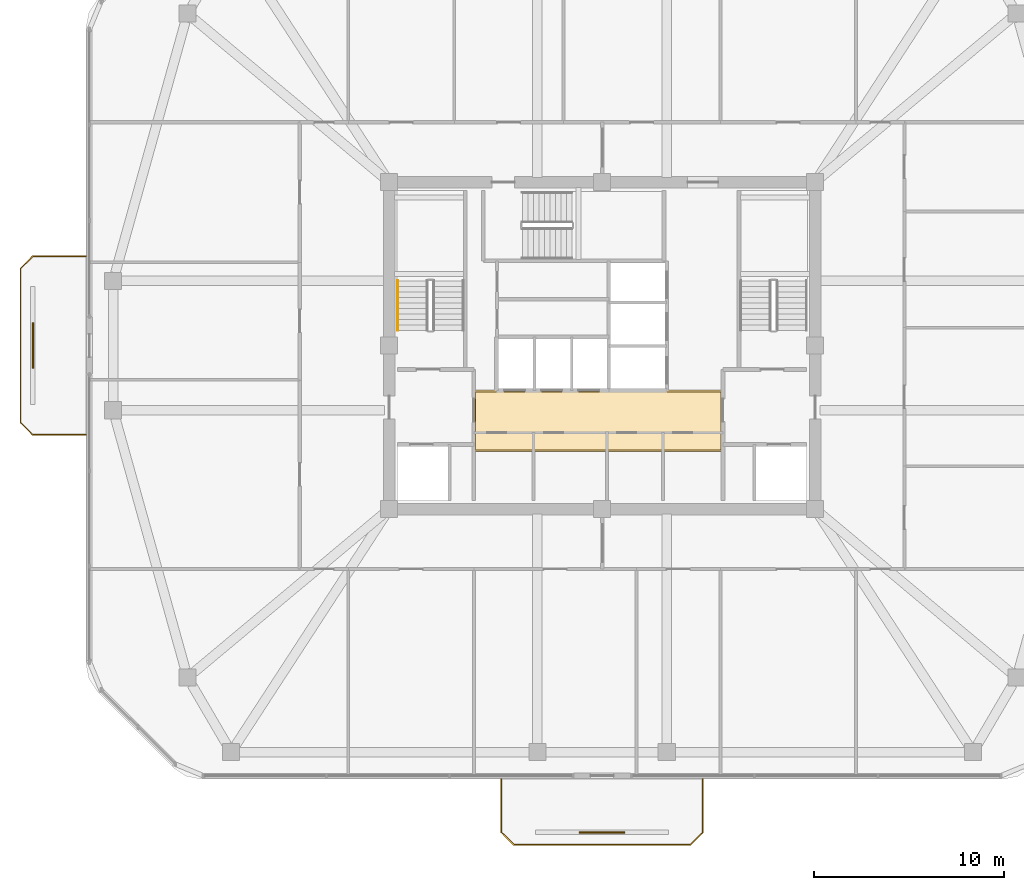
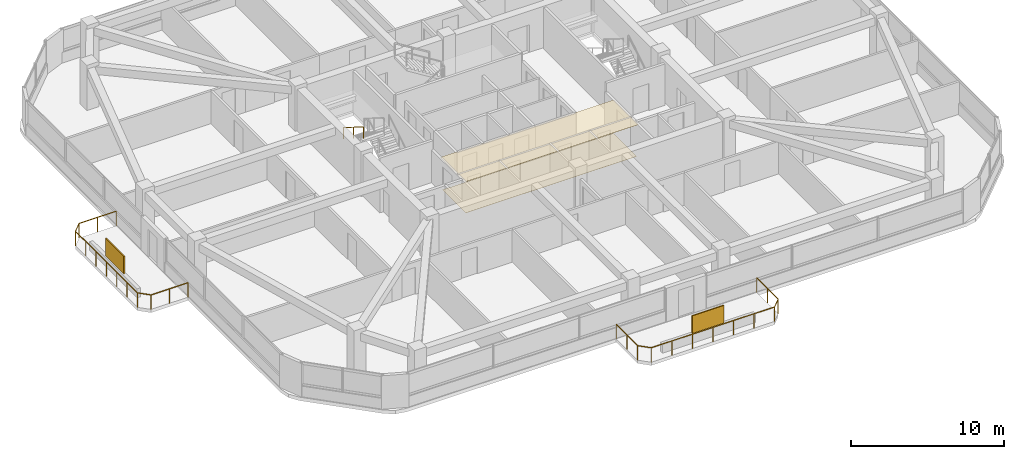
# One storey, part 12 of 13: 3 railings, 2 coverings, 2 shading devices.
"""IFC4 building model written with IfcOpenShell, lengths in metres."""

from ifc_helpers import new_model, si_unit, derived_unit, direction, frame, origin, origin_2d, place, context, subcontext, project, spatial, polyline, rectangle, outline, extrude, material, layer, layer_set, type_object, element, save


model = new_model("IFC4")

# Units and contexts
model_context = context("Model", 3, precision=1e-05, world=origin(), true_north=direction((0.0, 1.0)))
body_context = subcontext(model_context, "Body", "Model", "MODEL_VIEW")
ifc_project = project(units=[si_unit("LENGTHUNIT", "METRE"), si_unit("AREAUNIT", "SQUARE_METRE"), si_unit("VOLUMEUNIT", "CUBIC_METRE"), si_unit("PLANEANGLEUNIT", "RADIAN"), si_unit("MASSUNIT", "GRAM", prefix="KILO"), derived_unit("THERMALTRANSMITTANCEUNIT", [(si_unit("POWERUNIT", "WATT"), 1), (si_unit("LENGTHUNIT", "METRE"), -2), (si_unit("THERMODYNAMICTEMPERATUREUNIT", "KELVIN"), -1)])], contexts=[model_context])

# Site, building, storey
site_placement = place(None, origin())
site = spatial("IfcSite", under=ifc_project, at=site_placement, CompositionType="ELEMENT")
building_placement = place(site_placement, origin())
building = spatial("IfcBuilding", under=site, at=building_placement, Name="Koralith Skygarden Medical Center", CompositionType="ELEMENT")
storey_placement = place(building_placement, frame((0.0, 0.0, 228.780029296875)))
storey = spatial("IfcBuildingStorey", under=building, at=storey_placement, Name="L59", CompositionType="ELEMENT", Elevation=228.780029296875)

# Covering
ifc_material_1 = material(Name="Acoustic Mineral Tile")
ifc_layer_1 = layer(ifc_material_1, 0.02001953125)
ifc_layer_set_1 = layer_set([ifc_layer_1], Name="Acoustic Mineral Tile")
covering_type_1 = type_object("IfcCoveringType", Name="Acoustic Hygienic Mineral Ceiling 20", PredefinedType="CEILING", material=ifc_layer_set_1)
covering_1_placement = place(storey_placement, frame((0.0, 0.0, 2.56494140625)))
element("IfcCovering", 1, at=covering_1_placement, inside=storey, type_object=covering_type_1, Name="L59 Core Lobby Acoustic Ceiling", PredefinedType="CEILING", context=body_context, shape_type="SweptSolid", body=[
    extrude(outline(polyline([(30.25, 20.320068359375), (43.35009765625, 20.320068359375), (43.35009765625, 23.56005859375), (30.25, 23.56005859375), (30.25, 20.320068359375)])), origin(), (0.0, 0.0, 1.0), 0.02001953125),
])

# Railings
ifc_material_2 = material(Name="Steel ASTM A500 Grade C", Category="steel")
railing_type_1 = type_object("IfcRailingType", Name="Outdoor Terrace & Balcony Safety Guardrail 1180", PredefinedType="GUARDRAIL", material=ifc_material_2)
railing_1_placement = place(storey_placement, frame((31.699951171875, 3.10009765625, 0.0)))
element("IfcRailing", 2, at=railing_1_placement, inside=storey, type_object=railing_type_1, Name="L59 S Balcony Perimeter Guardrail", PredefinedType="GUARDRAIL", context=body_context, shape_type="SweptSolid", body=[
    extrude(rectangle(XDim=0.050048828125, YDim=0.050048828125, at=origin_2d()), frame((0.0, -0.001953125, 1.15478515625), z_axis=(0.0, -1.0, 0.0), x_axis=(1.0, 0.0, 0.0)), (0.0, 0.0, 1.0), 2.796142578125),
    extrude(rectangle(XDim=0.050048828125, YDim=0.050048828125, at=origin_2d()), frame((0.00146484375, -2.801513671875, 1.15478515625), z_axis=(0.707106781187, -0.707106781187, 0.0), x_axis=(0.707106781187, 0.707106781187, 0.0)), (0.0, 0.0, 1.0), 0.91552734375),
    extrude(rectangle(XDim=0.050048828125, YDim=0.050048828125, at=origin_2d()), frame((0.652099609375, -3.4501953125, 1.15478515625), z_axis=(1.0, 0.0, 0.0), x_axis=(0.0, 1.0, 0.0)), (0.0, 0.0, 1.0), 9.2958984375),
    extrude(rectangle(XDim=0.050048828125, YDim=0.050048828125, at=origin_2d()), frame((9.951416015625, -3.44873046875, 1.15478515625), z_axis=(0.707106781187, 0.707106781187, 0.0), x_axis=(-0.707106781187, 0.707106781187, 0.0)), (0.0, 0.0, 1.0), 0.91552734375),
    extrude(rectangle(XDim=0.050048828125, YDim=0.050048828125, at=origin_2d()), frame((10.60009765625, -2.798095703125, 1.15478515625), z_axis=(0.0, 1.0, 0.0), x_axis=(-1.0, 0.0, 0.0)), (0.0, 0.0, 1.0), 2.796142578125),
    extrude(rectangle(XDim=0.0419921875, YDim=0.0419921875, at=origin_2d()), origin(), (0.0, 0.0, 1.0), 1.1279296875),
    extrude(rectangle(XDim=0.0419921875, YDim=0.0419921875, at=origin_2d()), frame((0.0, -1.39990234375, 0.0)), (0.0, 0.0, 1.0), 1.1279296875),
    extrude(rectangle(XDim=0.0419921875, YDim=0.0419921875, at=origin_2d()), frame((0.0, -2.800048828125, 0.0)), (0.0, 0.0, 1.0), 1.1279296875),
    extrude(rectangle(XDim=0.0419921875, YDim=0.0419921875, at=origin_2d()), frame((0.650146484375, -3.4501953125, 0.0)), (0.0, 0.0, 1.0), 1.1279296875),
    extrude(rectangle(XDim=0.0419921875, YDim=0.0419921875, at=origin_2d()), frame((2.2001953125, -3.4501953125, 0.0)), (0.0, 0.0, 1.0), 1.1279296875),
    extrude(rectangle(XDim=0.0419921875, YDim=0.0419921875, at=origin_2d()), frame((3.75, -3.4501953125, 0.0)), (0.0, 0.0, 1.0), 1.1279296875),
    extrude(rectangle(XDim=0.0419921875, YDim=0.0419921875, at=origin_2d()), frame((5.300048828125, -3.4501953125, 0.0)), (0.0, 0.0, 1.0), 1.1279296875),
    extrude(rectangle(XDim=0.0419921875, YDim=0.0419921875, at=origin_2d()), frame((6.85009765625, -3.4501953125, 0.0)), (0.0, 0.0, 1.0), 1.1279296875),
    extrude(rectangle(XDim=0.0419921875, YDim=0.0419921875, at=origin_2d()), frame((8.39990234375, -3.4501953125, 0.0)), (0.0, 0.0, 1.0), 1.1279296875),
    extrude(rectangle(XDim=0.0419921875, YDim=0.0419921875, at=origin_2d()), frame((9.949951171875, -3.4501953125, 0.0)), (0.0, 0.0, 1.0), 1.1279296875),
    extrude(rectangle(XDim=0.0419921875, YDim=0.0419921875, at=origin_2d()), frame((10.60009765625, -2.800048828125, 0.0)), (0.0, 0.0, 1.0), 1.1279296875),
    extrude(rectangle(XDim=0.0419921875, YDim=0.0419921875, at=origin_2d()), frame((10.60009765625, -1.39990234375, 0.0)), (0.0, 0.0, 1.0), 1.1279296875),
    extrude(rectangle(XDim=0.0419921875, YDim=0.0419921875, at=origin_2d()), frame((10.60009765625, 0.0, 0.0)), (0.0, 0.0, 1.0), 1.1279296875),
])
railing_2_placement = place(storey_placement, frame((9.85791015625, 21.199951171875, 0.0)))
element("IfcRailing", 3, at=railing_2_placement, inside=storey, type_object=railing_type_1, Name="L59 W Balcony Perimeter Guardrail", PredefinedType="GUARDRAIL", context=body_context, shape_type="SweptSolid", body=[
    extrude(rectangle(XDim=0.050048828125, YDim=0.050048828125, at=origin_2d()), frame((-0.001953125, 0.0, 1.15478515625), z_axis=(-1.0, 0.0, 0.0), x_axis=(0.0, -1.0, 0.0)), (0.0, 0.0, 1.0), 2.7958984375),
    extrude(rectangle(XDim=0.050048828125, YDim=0.050048828125, at=origin_2d()), frame((-2.80126953125, 0.00146484375, 1.15478515625), z_axis=(-0.707106781187, 0.707106781187, 0.0), x_axis=(-0.707106781187, -0.707106781187, 0.0)), (0.0, 0.0, 1.0), 0.91552734375),
    extrude(rectangle(XDim=0.050048828125, YDim=0.050048828125, at=origin_2d()), frame((-3.449951171875, 0.652099609375, 1.15478515625), z_axis=(0.0, 1.0, 0.0), x_axis=(-1.0, 0.0, 0.0)), (0.0, 0.0, 1.0), 8.095947265625),
    extrude(rectangle(XDim=0.050048828125, YDim=0.050048828125, at=origin_2d()), frame((-3.448486328125, 8.75146484375, 1.15478515625), z_axis=(0.707106781187, 0.707106781187, 0.0), x_axis=(-0.707106781187, 0.707106781187, 0.0)), (0.0, 0.0, 1.0), 0.91552734375),
    extrude(rectangle(XDim=0.050048828125, YDim=0.050048828125, at=origin_2d()), frame((-2.7978515625, 9.400146484375, 1.15478515625), z_axis=(1.0, 0.0, 0.0), x_axis=(0.0, 1.0, 0.0)), (0.0, 0.0, 1.0), 2.7958984375),
    extrude(rectangle(XDim=0.0419921875, YDim=0.0419921875, at=origin_2d()), origin(), (0.0, 0.0, 1.0), 1.1279296875),
    extrude(rectangle(XDim=0.0419921875, YDim=0.0419921875, at=origin_2d()), frame((-1.39990234375, 0.0, 0.0)), (0.0, 0.0, 1.0), 1.1279296875),
    extrude(rectangle(XDim=0.0419921875, YDim=0.0419921875, at=origin_2d()), frame((-2.7998046875, 0.0, 0.0)), (0.0, 0.0, 1.0), 1.1279296875),
    extrude(rectangle(XDim=0.0419921875, YDim=0.0419921875, at=origin_2d()), frame((-3.449951171875, 0.650146484375, 0.0)), (0.0, 0.0, 1.0), 1.1279296875),
    extrude(rectangle(XDim=0.0419921875, YDim=0.0419921875, at=origin_2d()), frame((-3.449951171875, 2.0, 0.0)), (0.0, 0.0, 1.0), 1.1279296875),
    extrude(rectangle(XDim=0.0419921875, YDim=0.0419921875, at=origin_2d()), frame((-3.449951171875, 3.35009765625, 0.0)), (0.0, 0.0, 1.0), 1.1279296875),
    extrude(rectangle(XDim=0.0419921875, YDim=0.0419921875, at=origin_2d()), frame((-3.449951171875, 4.7001953125, 0.0)), (0.0, 0.0, 1.0), 1.1279296875),
    extrude(rectangle(XDim=0.0419921875, YDim=0.0419921875, at=origin_2d()), frame((-3.449951171875, 6.050048828125, 0.0)), (0.0, 0.0, 1.0), 1.1279296875),
    extrude(rectangle(XDim=0.0419921875, YDim=0.0419921875, at=origin_2d()), frame((-3.449951171875, 7.39990234375, 0.0)), (0.0, 0.0, 1.0), 1.1279296875),
    extrude(rectangle(XDim=0.0419921875, YDim=0.0419921875, at=origin_2d()), frame((-3.449951171875, 8.75, 0.0)), (0.0, 0.0, 1.0), 1.1279296875),
    extrude(rectangle(XDim=0.0419921875, YDim=0.0419921875, at=origin_2d()), frame((-2.7998046875, 9.400146484375, 0.0)), (0.0, 0.0, 1.0), 1.1279296875),
    extrude(rectangle(XDim=0.0419921875, YDim=0.0419921875, at=origin_2d()), frame((-1.39990234375, 9.400146484375, 0.0)), (0.0, 0.0, 1.0), 1.1279296875),
    extrude(rectangle(XDim=0.0419921875, YDim=0.0419921875, at=origin_2d()), frame((0.0, 9.400146484375, 0.0)), (0.0, 0.0, 1.0), 1.1279296875),
])

# Shading devices
ifc_material_3 = material(Name="Aluminium 6063-T6", Category="aluminium")
ifc_layer_2 = layer(ifc_material_3, 0.080078125)
ifc_layer_set_2 = layer_set([ifc_layer_2], Name="Aluminium 6063-T6")
shading_device_type = type_object("IfcShadingDeviceType", Name="Perforated Biophilic Balcony Trellis Screen", PredefinedType="USERDEFINED", material=ifc_layer_set_2)
for number, where, z_axis, x_axis, name in (
    (4, (37.0, 0.300048828125, 0.719970703125), (0.0, 0.0, 1.0), (1.0, 0.0, 0.0), "L59 S Biophilic Balcony Trellis Screen"),
    (5, (7.05810546875, 25.89990234375, 0.719970703125), (0.0, 0.0, 1.0), (0.0, 1.0, 0.0), "L59 W Biophilic Balcony Trellis Screen"),
):
    element("IfcShadingDevice", number, at=place(storey_placement, frame(where, z_axis=z_axis, x_axis=x_axis)), inside=storey, type_object=shading_device_type, Name=name, ObjectType="HURRICANE SCREEN", PredefinedType="USERDEFINED", context=body_context, shape_type="SweptSolid", body=[
        extrude(rectangle(XDim=2.39990234375, YDim=0.080078125, at=origin_2d()), origin(), (0.0, 0.0, 1.0), 1.39990234375),
    ])

# Covering
ifc_material_4 = material(Name="Medical Terrazzo Flooring")
ifc_layer_3 = layer(ifc_material_4, 0.014892578125)
ifc_layer_set_3 = layer_set([ifc_layer_3], Name="Medical Terrazzo Flooring")
covering_type_2 = type_object("IfcCoveringType", Name="Seamless Antimicrobial Terrazzo Flooring 15", PredefinedType="FLOORING", material=ifc_layer_set_3)
covering_2_placement = place(storey_placement, origin())
element("IfcCovering", 6, at=covering_2_placement, inside=storey, type_object=covering_type_2, Name="L59 Core Lobby Terrazzo Flooring", PredefinedType="FLOORING", context=body_context, shape_type="SweptSolid", body=[
    extrude(outline(polyline([(30.35009765625, 20.419921875), (43.25, 20.419921875), (43.25, 23.4599609375), (30.35009765625, 23.4599609375), (30.35009765625, 20.419921875)])), origin(), (0.0, 0.0, 1.0), 0.014892578125),
])

# Railing
railing_type_2 = type_object("IfcRailingType", Name="Stair Flight Tubular Handrail 920", PredefinedType="HANDRAIL", material=ifc_material_2)
railing_3_placement = place(storey_placement, frame((26.25, 29.31005859375, 1.97998046875)))
element("IfcRailing", 7, at=railing_3_placement, inside=storey, type_object=railing_type_2, Name="L59 ST1 stair handrail 2", PredefinedType="HANDRAIL", context=body_context, shape_type="SweptSolid", body=[
    extrude(rectangle(XDim=0.050048828125, YDim=0.050048828125, at=origin_2d()), frame((0.0, -0.001708984375, 0.89599609375), z_axis=(0.0, -0.849668407637, 0.527317358963), x_axis=(1.0, 0.0, 0.0)), (0.0, 0.0, 1.0), 3.06787109375),
    extrude(rectangle(XDim=0.0419921875, YDim=0.0419921875, at=origin_2d()), origin(), (0.0, 0.0, 1.0), 0.867919921875),
    extrude(rectangle(XDim=0.0419921875, YDim=0.0419921875, at=origin_2d()), frame((0.0, -1.30517578125, 0.81005859375)), (0.0, 0.0, 1.0), 0.867919921875),
    extrude(rectangle(XDim=0.0419921875, YDim=0.0419921875, at=origin_2d()), frame((0.0, -2.610107421875, 1.619873046875)), (0.0, 0.0, 1.0), 0.867919921875),
])

save(model, "model.ifc")
